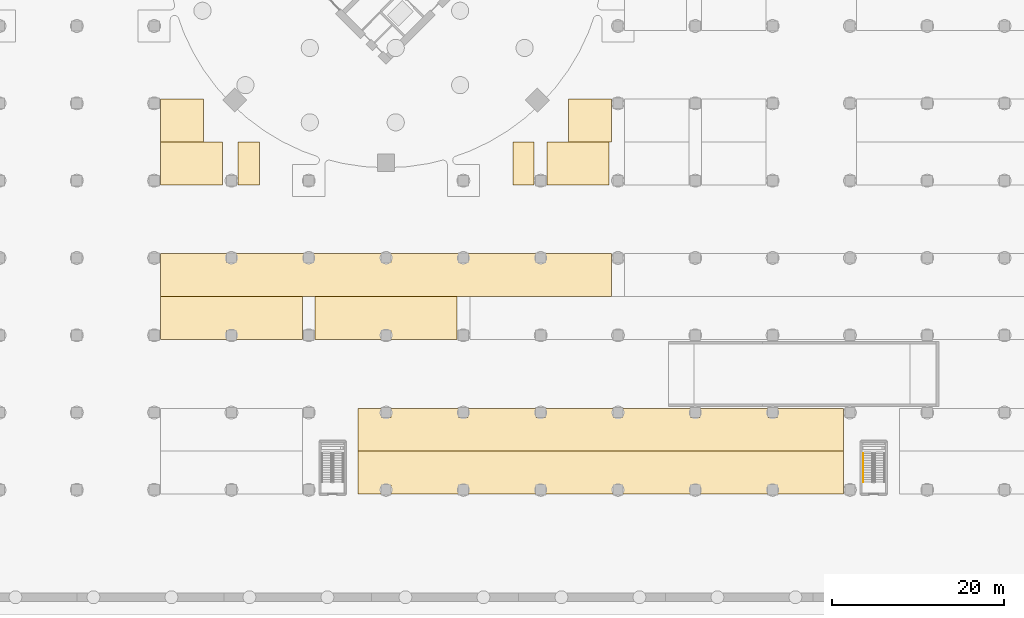
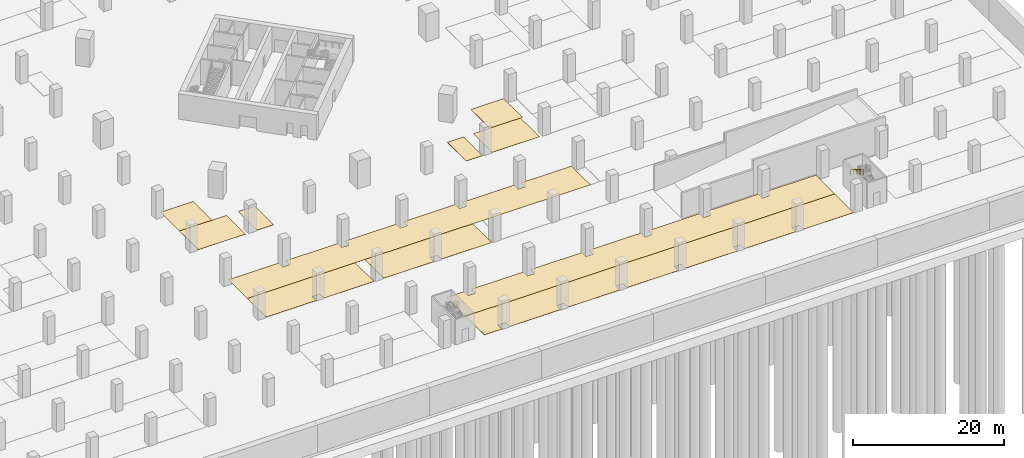
# One storey, part 31 of 39: 11 coverings, 1 railing.
"""IFC4 building model written with IfcOpenShell, lengths in metres."""

import ifcopenshell
import ifcopenshell.guid

model = None  # the IFC model being written
_history = None  # IfcOwnerHistory: only IFC2X3 demands one
_inside = {}  # id of a spatial element -> (the spatial element, [elements in it])
_under = {}  # id of a project, library or spatial element -> (it, [spatial elements below it])
_declared = {}  # id of a project -> (the project, [libraries it declares])
_typed = {}  # id of a type object -> (the type object, [elements of that type])
_made_of = {}  # id of a material, layer set ... -> (it, [elements and type objects made of it])


def new_model(schema):
    """Start an empty IFC model of exactly this schema.

    Asked for "IFC4X3", IfcOpenShell would pick the latest addendum, in which some entities
    have other attributes; the version numbers below select the first issue.
    IFC2X3 requires an IfcOwnerHistory on every rooted entity: one is made here for all.
    """
    global model, _history
    if schema == "IFC4X3":
        model = ifcopenshell.file(schema_version=(4, 3, 0, 0))
    else:
        model = ifcopenshell.file(schema=schema)
    _inside.clear()
    _under.clear()
    _declared.clear()
    _typed.clear()
    _made_of.clear()
    _history = None
    if model.schema == "IFC2X3":
        org = make("IfcOrganization", Name="unknown")
        user = make(
            "IfcPersonAndOrganization",
            ThePerson=make("IfcPerson", FamilyName="unknown"),
            TheOrganization=org,
        )
        app = make(
            "IfcApplication",
            ApplicationDeveloper=org,
            Version="unknown",
            ApplicationFullName="unknown",
            ApplicationIdentifier="unknown",
        )
        _history = make(
            "IfcOwnerHistory",
            OwningUser=user,
            OwningApplication=app,
            ChangeAction="ADDED",
            CreationDate=0,
        )
    return model


def make(cls, **values):
    """One entity of the class cls with the attributes given. An attribute that is None is left unset."""
    return model.create_entity(
        cls, **{name: value for name, value in values.items() if value is not None}
    )


def rooted(cls, **values):
    """An entity with a GlobalId (a new one), such as an element, a storey or a relation."""
    return make(cls, GlobalId=ifcopenshell.guid.new(), OwnerHistory=_history, **values)


def si_unit(unit_type, name, prefix=None):
    """IfcSIUnit, for example si_unit("LENGTHUNIT", "METRE", prefix="MILLI")."""
    return make("IfcSIUnit", UnitType=unit_type, Prefix=prefix, Name=name)


def assignment(units):
    """IfcUnitAssignment: the units of a project."""
    return None if units is None else make("IfcUnitAssignment", Units=units)


def point(xyz):
    """IfcCartesianPoint."""
    return None if xyz is None else make("IfcCartesianPoint", Coordinates=xyz)


def direction(xyz):
    """IfcDirection."""
    return None if xyz is None else make("IfcDirection", DirectionRatios=xyz)


def frame(location, z_axis=None, x_axis=None):
    """IfcAxis2Placement3D, a coordinate frame: its origin and axes. An axis left out is left unset."""
    return make(
        "IfcAxis2Placement3D",
        Location=point(location),
        Axis=direction(z_axis),
        RefDirection=direction(x_axis),
    )


def frame_2d(location, x_axis=None):
    """IfcAxis2Placement2D, a coordinate frame in the plane: its origin and x axis."""
    return make(
        "IfcAxis2Placement2D", Location=point(location), RefDirection=direction(x_axis)
    )


def origin():
    """The frame at (0, 0, 0) with its axes left unset."""
    return frame((0.0, 0.0, 0.0))


def origin_2d():
    """The frame at (0, 0) in the plane with its x axis left unset."""
    return frame_2d((0.0, 0.0))


def place(relative_to, where):
    """IfcLocalPlacement: puts the frame where relative to a parent placement (None: the world)."""
    return make(
        "IfcLocalPlacement", PlacementRelTo=relative_to, RelativePlacement=where
    )


def context(
    kind, dimensions, precision=None, world=None, true_north=None, identifier=None
):
    """IfcGeometricRepresentationContext, for example the 3D "Model" context."""
    return make(
        "IfcGeometricRepresentationContext",
        ContextIdentifier=identifier,
        ContextType=kind,
        CoordinateSpaceDimension=dimensions,
        Precision=precision,
        WorldCoordinateSystem=world,
        TrueNorth=true_north,
    )


def subcontext(parent, identifier, kind, view, scale=None):
    """IfcGeometricRepresentationSubContext, for example "Body" below "Model"."""
    return make(
        "IfcGeometricRepresentationSubContext",
        ContextIdentifier=identifier,
        ContextType=kind,
        ParentContext=parent,
        TargetScale=scale,
        TargetView=view,
    )


def project(units=None, contexts=None):
    """IfcProject with its units and contexts."""
    return rooted(
        "IfcProject",
        Name="project",
        RepresentationContexts=contexts,
        UnitsInContext=assignment(units),
    )


def spatial(cls, under=None, at=None, **own):
    """A site, building, storey or space (cls), placed at a placement, below another one or the project."""
    s = rooted(cls, ObjectPlacement=at, **own)
    if under is not None:
        _under.setdefault(under.id(), (under, []))[1].append(s)
    return s


def polyline(points):
    """IfcPolyline through the points."""
    return make("IfcPolyline", Points=[point(p) for p in points])


def profile(cls, at=None, kind="AREA", **sizes):
    """A parametric profile (cls). Its sizes go by their IFC names, for example OverallWidth=200.0."""
    return make(cls, ProfileType=kind, Position=at, **sizes)


def circle(**sizes):
    """IfcCircleProfileDef."""
    return profile("IfcCircleProfileDef", **sizes)


def outline(outer, holes=None, kind="AREA"):
    """IfcArbitraryClosedProfileDef: a profile drawn as a closed curve; with holes, ...WithVoids."""
    if holes is None:
        return make("IfcArbitraryClosedProfileDef", ProfileType=kind, OuterCurve=outer)
    return make(
        "IfcArbitraryProfileDefWithVoids",
        ProfileType=kind,
        OuterCurve=outer,
        InnerCurves=holes,
    )


def extrude(swept, where, along, depth):
    """IfcExtrudedAreaSolid: the profile swept, set in the frame where, extruded along a direction by depth."""
    return make(
        "IfcExtrudedAreaSolid",
        SweptArea=swept,
        Position=where,
        ExtrudedDirection=direction(along),
        Depth=depth,
    )


def shape(context_of_items, identifier, shape_type, items):
    """IfcShapeRepresentation: the items that make up one representation, for example the "Body"."""
    return make(
        "IfcShapeRepresentation",
        ContextOfItems=context_of_items,
        RepresentationIdentifier=identifier,
        RepresentationType=shape_type,
        Items=items,
    )


def material(Name=None, Category=None):
    """IfcMaterial."""
    return make("IfcMaterial", Name=Name, Category=Category)


def layer(
    of_material, thickness, ventilated=None, Name=None, Category=None, Priority=None
):
    """IfcMaterialLayer: one layer of a wall or slab, of a material (None: an air gap)."""
    return make(
        "IfcMaterialLayer",
        Material=of_material,
        LayerThickness=thickness,
        IsVentilated=ventilated,
        Name=Name,
        Category=Category,
        Priority=Priority,
    )


def layer_set(layers, Name=None):
    """IfcMaterialLayerSet."""
    return make("IfcMaterialLayerSet", MaterialLayers=layers, LayerSetName=Name)


def made_of(thing, what):
    """Note that an element or type object is made of a material, layer set ...; save() writes the relation."""
    if what is not None:
        _made_of.setdefault(what.id(), (what, []))[1].append(thing)
    return thing


def type_object(cls, material=None, **own):
    """A type object (cls), such as IfcWallType, which elements share."""
    return made_of(rooted(cls, **own), material)


def element(
    cls,
    number,
    at=None,
    inside=None,
    cuts=None,
    type_object=None,
    material=None,
    context=None,
    identifier="Body",
    shape_type=None,
    held_by="IfcProductDefinitionShape",
    body=None,
    shapes=None,
    **own,
):
    """One element of the class cls, such as IfcWall. Its Tag is "e" and its number.

    at: its placement. inside: the storey or other place that contains it. cuts: it is an
    opening in that element (IfcRelVoidsElement). A single representation is given by context,
    identifier, shape_type and body (its items); several are given by shapes. held_by: the class
    of the entity that holds the representations. save() writes the other relations.
    """
    e = rooted(cls, Tag="e%d" % number, ObjectPlacement=at, **own)
    if body is not None:
        shapes = [shape(context, identifier, shape_type, body)]
    if shapes is not None:
        e.Representation = make(held_by, Representations=shapes)
    if inside is not None:
        _inside.setdefault(inside.id(), (inside, []))[1].append(e)
    if cuts is not None:
        rooted(
            "IfcRelVoidsElement", RelatingBuildingElement=cuts, RelatedOpeningElement=e
        )
    if type_object is not None:
        _typed.setdefault(type_object.id(), (type_object, []))[1].append(e)
    return made_of(e, material)


def aggregate(whole, parts):
    """IfcRelAggregates: a whole, such as a stair, and the parts it consists of."""
    return rooted("IfcRelAggregates", RelatingObject=whole, RelatedObjects=parts)


def save(model, path):
    """Write the relations noted so far, then the file.

    IfcRelAggregates (storeys below a building ...), IfcRelContainedInSpatialStructure (elements
    in a storey), IfcRelDefinesByType, IfcRelAssociatesMaterial and IfcRelDeclares: one each for
    every whole, place, type object, material and project.
    """
    for whole, parts in _under.values():
        aggregate(whole, parts)
    for where, things in _inside.values():
        rooted(
            "IfcRelContainedInSpatialStructure",
            RelatedElements=things,
            RelatingStructure=where,
        )
    for kind, things in _typed.values():
        rooted("IfcRelDefinesByType", RelatedObjects=things, RelatingType=kind)
    for what, things in _made_of.values():
        rooted("IfcRelAssociatesMaterial", RelatedObjects=things, RelatingMaterial=what)
    for by, libraries in _declared.values():
        rooted("IfcRelDeclares", RelatingContext=by, RelatedDefinitions=libraries)
    model.write(path)


model = new_model("IFC4")

# Units and contexts
model_context = context("Model", 3, precision=1e-05, world=origin(), true_north=direction((0.0, 1.0)))
body_context = subcontext(model_context, "Body", "Model", "MODEL_VIEW")
ifc_project = project(units=[si_unit("LENGTHUNIT", "METRE"), si_unit("AREAUNIT", "SQUARE_METRE"), si_unit("VOLUMEUNIT", "CUBIC_METRE"), si_unit("PLANEANGLEUNIT", "RADIAN"), si_unit("MASSUNIT", "GRAM", prefix="KILO")], contexts=[model_context])

# Site, building, storey
site_placement = place(None, origin())
site = spatial("IfcSite", under=ifc_project, at=site_placement, CompositionType="ELEMENT")
building_placement = place(site_placement, origin())
building = spatial("IfcBuilding", under=site, at=building_placement, Name="Ogive Gate Towers", CompositionType="ELEMENT")
storey_placement = place(building_placement, frame((0.0, 0.0, -9.0)))
storey = spatial("IfcBuildingStorey", under=building, at=storey_placement, Name="B2", CompositionType="ELEMENT", Elevation=-9.0)

# Coverings
ifc_material_1 = material(Name="Painted floor marking")
ifc_layer_1 = layer(ifc_material_1, 0.02001953125)
ifc_layer_set_1 = layer_set([ifc_layer_1], Name="Accessible bay marking")
covering_type_1 = type_object("IfcCoveringType", Name="Accessible bay marking", PredefinedType="FLOORING", material=ifc_layer_set_1)
covering_1_placement = place(storey_placement, origin())
element("IfcCovering", 1, at=covering_1_placement, inside=storey, type_object=covering_type_1, Name="Accessible parking bays B2-234 to B2-235", PredefinedType="FLOORING", context=body_context, shape_type="SweptSolid", body=[
    extrude(outline(polyline([(16.949951171875, -27.5), (9.75, -27.5), (9.75, -22.5), (16.949951171875, -22.5), (16.949951171875, -27.5)])), origin(), (0.0, 0.0, 1.0), 0.02001953125),
])
covering_2_placement = place(storey_placement, origin())
element("IfcCovering", 2, at=covering_2_placement, inside=storey, type_object=covering_type_1, Name="Accessible parking bays B2-238 to B2-239", PredefinedType="FLOORING", context=body_context, shape_type="SweptSolid", body=[
    extrude(outline(polyline([(61.949951171875, -27.5), (54.75, -27.5), (54.75, -22.5), (61.949951171875, -22.5), (61.949951171875, -27.5)])), origin(), (0.0, 0.0, 1.0), 0.02001953125),
])

# Railing
ifc_material_2 = material(Name="Stainless steel handrail", Category="steel")
railing_type = type_object("IfcRailingType", Name="Car park stair handrail 900", PredefinedType="HANDRAIL", material=ifc_material_2)
railing_placement = place(storey_placement, frame((91.550048828125, -58.739990234375, 2.423095703125)))
element("IfcRailing", 3, at=railing_placement, inside=storey, type_object=railing_type, Name="B2 CS8 stair handrail 2", PredefinedType="HANDRAIL", context=body_context, shape_type="SweptSolid", body=[
    extrude(circle(Radius=0.02392578125, at=origin_2d()), frame((0.0, 0.0, 0.8759765625), z_axis=(0.0, -0.850623216509, 0.525775754039), x_axis=(1.0, 0.0, 0.0)), (0.0, 0.0, 1.0), 3.9501953125),
    extrude(circle(Radius=0.02099609375, at=origin_2d()), origin(), (0.0, 0.0, 1.0), 0.851806640625),
    extrude(circle(Radius=0.02099609375, at=origin_2d()), frame((0.0, -0.840087890625, 0.519287109375)), (0.0, 0.0, 1.0), 0.851806640625),
    extrude(circle(Radius=0.02099609375, at=origin_2d()), frame((0.0, -1.68017578125, 1.03857421875)), (0.0, 0.0, 1.0), 0.851806640625),
    extrude(circle(Radius=0.02099609375, at=origin_2d()), frame((0.0, -2.52001953125, 1.5576171875)), (0.0, 0.0, 1.0), 0.851806640625),
    extrude(circle(Radius=0.02099609375, at=origin_2d()), frame((0.0, -3.360107421875, 2.076904296875)), (0.0, 0.0, 1.0), 0.851806640625),
])

# Coverings
ifc_layer_2 = layer(ifc_material_1, 0.02001953125)
ifc_layer_set_2 = layer_set([ifc_layer_2], Name="Charging bay marking")
covering_type_2 = type_object("IfcCoveringType", Name="Charging bay marking", PredefinedType="FLOORING", material=ifc_layer_set_2)
covering_3_placement = place(storey_placement, origin())
element("IfcCovering", 4, at=covering_3_placement, inside=storey, type_object=covering_type_2, Name="Charging bays B2-303 to B2-308", PredefinedType="FLOORING", context=body_context, shape_type="SweptSolid", body=[
    extrude(outline(polyline([(27.75, -40.5), (44.25, -40.5), (44.25, -45.5), (36.550048828125, -45.5), (36.550048828125, -44.449951171875), (35.449951171875, -44.449951171875), (35.449951171875, -45.5), (27.75, -45.5), (27.75, -40.5)])), origin(), (0.0, 0.0, 1.0), 0.02001953125),
])
covering_4_placement = place(storey_placement, origin())
element("IfcCovering", 5, at=covering_4_placement, inside=storey, type_object=covering_type_2, Name="Charging bays B2-710 to B2-727", PredefinedType="FLOORING", context=body_context, shape_type="SweptSolid", body=[
    extrude(outline(polyline([(9.75, -35.5), (17.449951171875, -35.5), (17.449951171875, -36.550048828125), (18.550048828125, -36.550048828125), (18.550048828125, -35.5), (26.449951171875, -35.5), (26.449951171875, -36.550048828125), (27.550048828125, -36.550048828125), (27.550048828125, -35.5), (35.449951171875, -35.5), (35.449951171875, -36.550048828125), (36.550048828125, -36.550048828125), (36.550048828125, -35.5), (44.449951171875, -35.5), (44.449951171875, -36.550048828125), (45.550048828125, -36.550048828125), (45.550048828125, -35.5), (53.449951171875, -35.5), (53.449951171875, -36.550048828125), (54.550048828125, -36.550048828125), (54.550048828125, -35.5), (62.25, -35.5), (62.25, -40.5), (9.75, -40.5), (9.75, -35.5)])), origin(), (0.0, 0.0, 1.0), 0.02001953125),
])
ifc_layer_3 = layer(ifc_material_1, 0.02001953125)
ifc_layer_set_3 = layer_set([ifc_layer_3], Name="Parking bay marking")
covering_type_3 = type_object("IfcCoveringType", Name="Parking bay marking", PredefinedType="FLOORING", material=ifc_layer_set_3)
covering_5_placement = place(storey_placement, origin())
element("IfcCovering", 6, at=covering_5_placement, inside=storey, type_object=covering_type_3, Name="Parking bay B2-236", PredefinedType="FLOORING", context=body_context, shape_type="SweptSolid", body=[
    extrude(outline(polyline([(18.75, -22.5), (21.25, -22.5), (21.25, -27.5), (18.75, -27.5), (18.75, -22.5)])), origin(), (0.0, 0.0, 1.0), 0.02001953125),
])
covering_6_placement = place(storey_placement, origin())
element("IfcCovering", 7, at=covering_6_placement, inside=storey, type_object=covering_type_3, Name="Parking bay B2-237", PredefinedType="FLOORING", context=body_context, shape_type="SweptSolid", body=[
    extrude(outline(polyline([(53.25, -22.5), (53.25, -27.5), (50.75, -27.5), (50.75, -22.5), (53.25, -22.5)])), origin(), (0.0, 0.0, 1.0), 0.02001953125),
])
covering_7_placement = place(storey_placement, origin())
element("IfcCovering", 8, at=covering_7_placement, inside=storey, type_object=covering_type_3, Name="Parking bays B2-297 to B2-302", PredefinedType="FLOORING", context=body_context, shape_type="SweptSolid", body=[
    extrude(outline(polyline([(9.75, -40.5), (26.25, -40.5), (26.25, -45.5), (18.550048828125, -45.5), (18.550048828125, -44.449951171875), (17.449951171875, -44.449951171875), (17.449951171875, -45.5), (9.75, -45.5), (9.75, -40.5)])), origin(), (0.0, 0.0, 1.0), 0.02001953125),
])
covering_8_placement = place(storey_placement, origin())
element("IfcCovering", 9, at=covering_8_placement, inside=storey, type_object=covering_type_3, Name="Parking bays B2-377 to B2-395", PredefinedType="FLOORING", context=body_context, shape_type="SweptSolid", body=[
    extrude(outline(polyline([(89.25, -58.5), (89.25, -63.5), (81.550048828125, -63.5), (81.550048828125, -62.449951171875), (80.449951171875, -62.449951171875), (80.449951171875, -63.5), (72.550048828125, -63.5), (72.550048828125, -62.449951171875), (71.449951171875, -62.449951171875), (71.449951171875, -63.5), (63.550048828125, -63.5), (63.550048828125, -62.449951171875), (62.449951171875, -62.449951171875), (62.449951171875, -63.5), (54.550048828125, -63.5), (54.550048828125, -62.449951171875), (53.449951171875, -62.449951171875), (53.449951171875, -63.5), (45.550048828125, -63.5), (45.550048828125, -62.449951171875), (44.449951171875, -62.449951171875), (44.449951171875, -63.5), (36.550048828125, -63.5), (36.550048828125, -62.449951171875), (35.449951171875, -62.449951171875), (35.449951171875, -63.5), (32.75, -63.5), (32.75, -58.5), (89.25, -58.5)])), origin(), (0.0, 0.0, 1.0), 0.02001953125),
])
covering_9_placement = place(storey_placement, origin())
element("IfcCovering", 10, at=covering_9_placement, inside=storey, type_object=covering_type_3, Name="Parking bays B2-649 to B2-650", PredefinedType="FLOORING", context=body_context, shape_type="SweptSolid", body=[
    extrude(outline(polyline([(9.75, -22.5), (9.75, -17.5), (14.75, -17.5), (14.75, -22.5), (9.75, -22.5)])), origin(), (0.0, 0.0, 1.0), 0.02001953125),
])
covering_10_placement = place(storey_placement, origin())
element("IfcCovering", 11, at=covering_10_placement, inside=storey, type_object=covering_type_3, Name="Parking bays B2-651 to B2-652", PredefinedType="FLOORING", context=body_context, shape_type="SweptSolid", body=[
    extrude(outline(polyline([(62.25, -17.5), (62.25, -22.5), (57.25, -22.5), (57.25, -17.5), (62.25, -17.5)])), origin(), (0.0, 0.0, 1.0), 0.02001953125),
])
covering_11_placement = place(storey_placement, origin())
element("IfcCovering", 12, at=covering_11_placement, inside=storey, type_object=covering_type_3, Name="Parking bays B2-790 to B2-808", PredefinedType="FLOORING", context=body_context, shape_type="SweptSolid", body=[
    extrude(outline(polyline([(35.449951171875, -53.5), (35.449951171875, -54.550048828125), (36.550048828125, -54.550048828125), (36.550048828125, -53.5), (44.449951171875, -53.5), (44.449951171875, -54.550048828125), (45.550048828125, -54.550048828125), (45.550048828125, -53.5), (53.449951171875, -53.5), (53.449951171875, -54.550048828125), (54.550048828125, -54.550048828125), (54.550048828125, -53.5), (62.449951171875, -53.5), (62.449951171875, -54.550048828125), (63.550048828125, -54.550048828125), (63.550048828125, -53.5), (71.449951171875, -53.5), (71.449951171875, -54.550048828125), (72.550048828125, -54.550048828125), (72.550048828125, -53.5), (80.449951171875, -53.5), (80.449951171875, -54.550048828125), (81.550048828125, -54.550048828125), (81.550048828125, -53.5), (89.25, -53.5), (89.25, -58.5), (32.75, -58.5), (32.75, -53.5), (35.449951171875, -53.5)])), origin(), (0.0, 0.0, 1.0), 0.02001953125),
])

save(model, "model.ifc")
